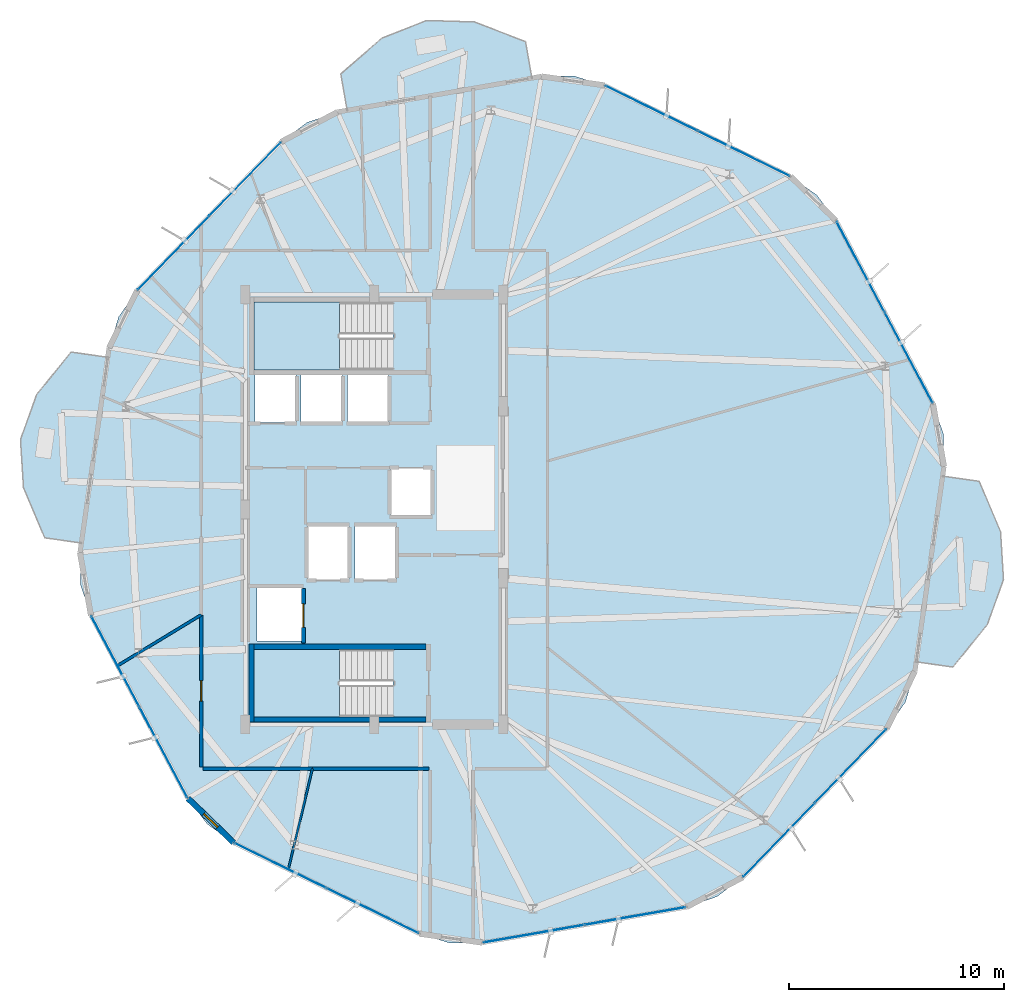
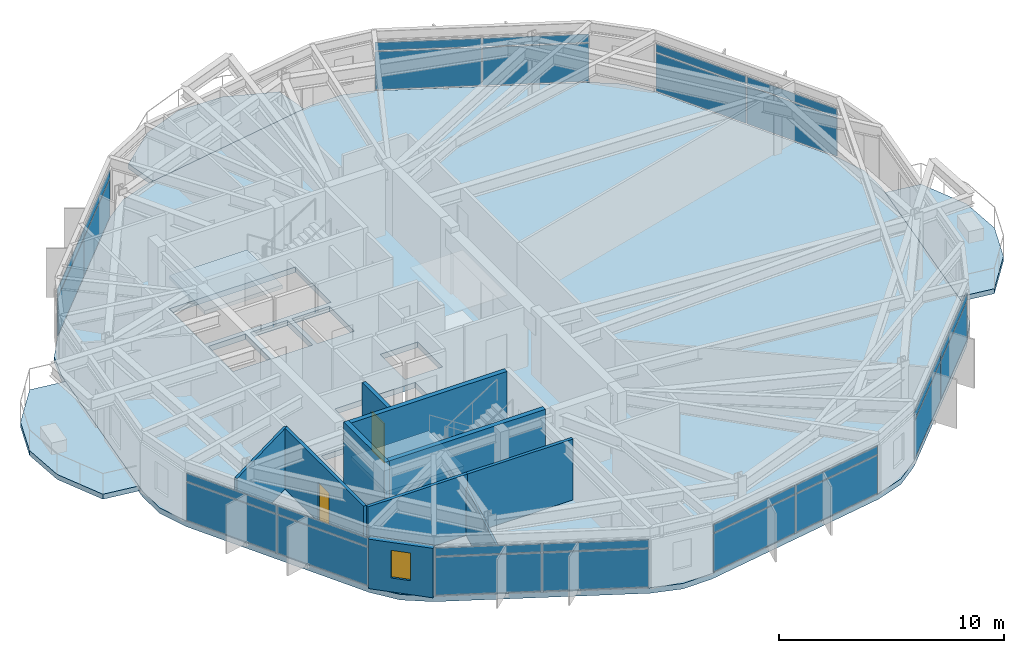
# One storey, part 22 of 28: 28 plates, 10 walls, 6 slabs, 2 doors, 1 window, 3 openings, 9 elements without a shape of their own.
"""IFC4 building model written with IfcOpenShell, lengths in metres."""

from ifc_helpers import new_model, si_unit, direction, frame, frame_2d, origin, origin_2d, place, context, subcontext, project, spatial, polyline, rectangle, outline, extrude, material, layer, layer_set, type_object, element, fill, aggregate, save


model = new_model("IFC4")

# Units and contexts
model_context = context("Model", 3, precision=1e-05, world=origin(), true_north=direction((0.0, 1.0)))
body_context = subcontext(model_context, "Body", "Model", "MODEL_VIEW")
ifc_project = project(units=[si_unit("LENGTHUNIT", "METRE"), si_unit("AREAUNIT", "SQUARE_METRE"), si_unit("VOLUMEUNIT", "CUBIC_METRE"), si_unit("PLANEANGLEUNIT", "RADIAN"), si_unit("MASSUNIT", "GRAM", prefix="KILO")], contexts=[model_context])

# Site, building, storey
site_placement = place(None, origin())
site = spatial("IfcSite", under=ifc_project, at=site_placement, CompositionType="ELEMENT")
building_placement = place(site_placement, origin())
building = spatial("IfcBuilding", under=site, at=building_placement, Name="Soratama Intermodal Tower", CompositionType="ELEMENT")
storey_placement = place(building_placement, frame((0.0, 0.0, 201.39990234375)))
storey = spatial("IfcBuildingStorey", under=building, at=storey_placement, Name="L50", CompositionType="ELEMENT", Elevation=201.39990234375)

# Curtain wall, plates
ifc_material_1 = material(Name="Double-glazed aluminium curtain wall", Category="aluminium")
ifc_layer_1 = layer(ifc_material_1, 0.159912109375)
ifc_layer_set_1 = layer_set([ifc_layer_1], Name="Double-glazed aluminium curtain wall")
curtain_wall_type = type_object("IfcCurtainWallType", Name="CW-SYS-5", PredefinedType="NOTDEFINED", material=ifc_layer_set_1)
curtain_wall_1_placement = place(storey_placement, origin())
curtain_wall_1 = element("IfcCurtainWall", 1, at=curtain_wall_1_placement, inside=storey, type_object=curtain_wall_type, Name="L50 Faceted Curtain Wall F01", PredefinedType="NOTDEFINED")
ifc_material_2 = material(Name="Low-E laminated double glazing", Category="glass")
ifc_layer_2 = layer(ifc_material_2, 0.02001953125)
ifc_layer_set_2 = layer_set([ifc_layer_2], Name="Low-E laminated double glazing")
plate_type = type_object("IfcPlateType", Name="PT-CWP-5", PredefinedType="CURTAIN_PANEL", material=ifc_layer_set_2)
plate_1_placement = place(storey_placement, frame((55.7744140625, 41.558349609375, 0.06005859375), z_axis=(0.0, 0.0, 1.0), x_axis=(-0.898028193217, 0.439937909468, 0.0)))
plate_1 = element("IfcPlate", 2, at=plate_1_placement, type_object=plate_type, Name="CW-5 panel 1.1", PredefinedType="CURTAIN_PANEL", context=body_context, shape_type="SweptSolid", body=[
    extrude(rectangle(XDim=4.721923828125, YDim=0.028076171875, at=origin_2d()), origin(), (0.0, 0.0, 1.0), 2.06005859375),
])
plate_2_placement = place(storey_placement, frame((55.7744140625, 41.558349609375, 2.18017578125), z_axis=(0.0, 0.0, 1.0), x_axis=(-0.898028193217, 0.439937909468, 0.0)))
plate_2 = element("IfcPlate", 3, at=plate_2_placement, type_object=plate_type, Name="CW-5 panel 1.2", PredefinedType="CURTAIN_PANEL", context=body_context, shape_type="SweptSolid", body=[
    extrude(rectangle(XDim=4.721923828125, YDim=0.028076171875, at=origin_2d()), origin(), (0.0, 0.0, 1.0), 0.43896484375),
])
plate_3_placement = place(storey_placement, frame((51.47998046875, 43.662109375, 0.06005859375), z_axis=(0.0, 0.0, 1.0), x_axis=(-0.898028193217, 0.439937909468, 0.0)))
plate_3 = element("IfcPlate", 4, at=plate_3_placement, type_object=plate_type, Name="CW-5 panel 2.1", PredefinedType="CURTAIN_PANEL", context=body_context, shape_type="SweptSolid", body=[
    extrude(rectangle(XDim=4.721923828125, YDim=0.028076171875, at=origin_2d()), origin(), (0.0, 0.0, 1.0), 2.06005859375),
])
plate_4_placement = place(storey_placement, frame((51.47998046875, 43.662109375, 2.18017578125), z_axis=(0.0, 0.0, 1.0), x_axis=(-0.898028193217, 0.439937909468, 0.0)))
plate_4 = element("IfcPlate", 5, at=plate_4_placement, type_object=plate_type, Name="CW-5 panel 2.2", PredefinedType="CURTAIN_PANEL", context=body_context, shape_type="SweptSolid", body=[
    extrude(rectangle(XDim=4.721923828125, YDim=0.028076171875, at=origin_2d()), origin(), (0.0, 0.0, 1.0), 0.43896484375),
])
aggregate(curtain_wall_1, [plate_1, plate_2, plate_3, plate_4])

curtain_wall_2_placement = place(storey_placement, origin())
curtain_wall_2 = element("IfcCurtainWall", 6, at=curtain_wall_2_placement, inside=storey, type_object=curtain_wall_type, Name="L50 Faceted Curtain Wall F03", PredefinedType="NOTDEFINED")
plate_5_placement = place(storey_placement, frame((32.58154296875, 40.36376953125, 0.06005859375), z_axis=(0.0, 0.0, 1.0), x_axis=(-0.695912124261, -0.718126949297, 0.0)))
plate_5 = element("IfcPlate", 7, at=plate_5_placement, type_object=plate_type, Name="CW-5 panel 1.1", PredefinedType="CURTAIN_PANEL", context=body_context, shape_type="SweptSolid", body=[
    extrude(rectangle(XDim=4.72216796875, YDim=0.028076171875, at=origin_2d()), origin(), (0.0, 0.0, 1.0), 2.06005859375),
])
plate_6_placement = place(storey_placement, frame((32.58154296875, 40.36376953125, 2.18017578125), z_axis=(0.0, 0.0, 1.0), x_axis=(-0.695912124261, -0.718126949297, 0.0)))
plate_6 = element("IfcPlate", 8, at=plate_6_placement, type_object=plate_type, Name="CW-5 panel 1.2", PredefinedType="CURTAIN_PANEL", context=body_context, shape_type="SweptSolid", body=[
    extrude(rectangle(XDim=4.72216796875, YDim=0.028076171875, at=origin_2d()), origin(), (0.0, 0.0, 1.0), 0.43896484375),
])
plate_7_placement = place(storey_placement, frame((29.253662109375, 36.9296875, 0.06005859375), z_axis=(0.0, 0.0, 1.0), x_axis=(-0.695912124261, -0.718126949297, 0.0)))
plate_7 = element("IfcPlate", 9, at=plate_7_placement, type_object=plate_type, Name="CW-5 panel 2.1", PredefinedType="CURTAIN_PANEL", context=body_context, shape_type="SweptSolid", body=[
    extrude(rectangle(XDim=4.72216796875, YDim=0.028076171875, at=origin_2d()), origin(), (0.0, 0.0, 1.0), 2.06005859375),
])
plate_8_placement = place(storey_placement, frame((29.253662109375, 36.9296875, 2.18017578125), z_axis=(0.0, 0.0, 1.0), x_axis=(-0.695912124261, -0.718126949297, 0.0)))
plate_8 = element("IfcPlate", 10, at=plate_8_placement, type_object=plate_type, Name="CW-5 panel 2.2", PredefinedType="CURTAIN_PANEL", context=body_context, shape_type="SweptSolid", body=[
    extrude(rectangle(XDim=4.72216796875, YDim=0.028076171875, at=origin_2d()), origin(), (0.0, 0.0, 1.0), 0.43896484375),
])
aggregate(curtain_wall_2, [plate_5, plate_6, plate_7, plate_8])

curtain_wall_3_placement = place(storey_placement, origin())
curtain_wall_3 = element("IfcCurtainWall", 11, at=curtain_wall_3_placement, inside=storey, type_object=curtain_wall_type, Name="L50 Faceted Curtain Wall F05", PredefinedType="NOTDEFINED")
plate_9_placement = place(storey_placement, frame((26.550537109375, 17.93701171875, 0.06005859375), z_axis=(0.0, 0.0, 1.0), x_axis=(0.467931641321, -0.883764662707, 0.0)))
plate_9 = element("IfcPlate", 12, at=plate_9_placement, type_object=plate_type, Name="CW-5 panel 1.1", PredefinedType="CURTAIN_PANEL", context=body_context, shape_type="SweptSolid", body=[
    extrude(rectangle(XDim=4.721923828125, YDim=0.028076171875, at=origin_2d()), origin(), (0.0, 0.0, 1.0), 2.06005859375),
])
plate_10_placement = place(storey_placement, frame((26.550537109375, 17.93701171875, 2.18017578125), z_axis=(0.0, 0.0, 1.0), x_axis=(0.467931641321, -0.883764662707, 0.0)))
plate_10 = element("IfcPlate", 13, at=plate_10_placement, type_object=plate_type, Name="CW-5 panel 1.2", PredefinedType="CURTAIN_PANEL", context=body_context, shape_type="SweptSolid", body=[
    extrude(rectangle(XDim=4.721923828125, YDim=0.028076171875, at=origin_2d()), origin(), (0.0, 0.0, 1.0), 0.43896484375),
])
plate_11_placement = place(storey_placement, frame((28.788330078125, 13.710693359375, 0.06005859375), z_axis=(0.0, 0.0, 1.0), x_axis=(0.467931641321, -0.883764662707, 0.0)))
plate_11 = element("IfcPlate", 14, at=plate_11_placement, type_object=plate_type, Name="CW-5 panel 2.1", PredefinedType="CURTAIN_PANEL", context=body_context, shape_type="SweptSolid", body=[
    extrude(rectangle(XDim=4.721923828125, YDim=0.028076171875, at=origin_2d()), origin(), (0.0, 0.0, 1.0), 2.06005859375),
])
plate_12_placement = place(storey_placement, frame((28.788330078125, 13.710693359375, 2.18017578125), z_axis=(0.0, 0.0, 1.0), x_axis=(0.467931641321, -0.883764662707, 0.0)))
plate_12 = element("IfcPlate", 15, at=plate_12_placement, type_object=plate_type, Name="CW-5 panel 2.2", PredefinedType="CURTAIN_PANEL", context=body_context, shape_type="SweptSolid", body=[
    extrude(rectangle(XDim=4.721923828125, YDim=0.028076171875, at=origin_2d()), origin(), (0.0, 0.0, 1.0), 0.43896484375),
])
aggregate(curtain_wall_3, [plate_9, plate_10, plate_11, plate_12])

curtain_wall_4_placement = place(storey_placement, origin())
curtain_wall_4 = element("IfcCurtainWall", 16, at=curtain_wall_4_placement, inside=storey, type_object=curtain_wall_type, Name="L50 Faceted Curtain Wall F06", PredefinedType="NOTDEFINED")
plate_13_placement = place(storey_placement, frame((34.2255859375, 8.441650390625, 0.06005859375), z_axis=(0.0, 0.0, 1.0), x_axis=(0.898028193217, -0.439937909468, 0.0)))
plate_13 = element("IfcPlate", 17, at=plate_13_placement, type_object=plate_type, Name="CW-5 panel 1.1", PredefinedType="CURTAIN_PANEL", context=body_context, shape_type="SweptSolid", body=[
    extrude(rectangle(XDim=4.721923828125, YDim=0.028076171875, at=origin_2d()), origin(), (0.0, 0.0, 1.0), 2.06005859375),
])
plate_14_placement = place(storey_placement, frame((34.2255859375, 8.441650390625, 2.18017578125), z_axis=(0.0, 0.0, 1.0), x_axis=(0.898028193217, -0.439937909468, 0.0)))
plate_14 = element("IfcPlate", 18, at=plate_14_placement, type_object=plate_type, Name="CW-5 panel 1.2", PredefinedType="CURTAIN_PANEL", context=body_context, shape_type="SweptSolid", body=[
    extrude(rectangle(XDim=4.721923828125, YDim=0.028076171875, at=origin_2d()), origin(), (0.0, 0.0, 1.0), 0.43896484375),
])
plate_15_placement = place(storey_placement, frame((38.52001953125, 6.337890625, 0.06005859375), z_axis=(0.0, 0.0, 1.0), x_axis=(0.898028193217, -0.439937909468, 0.0)))
plate_15 = element("IfcPlate", 19, at=plate_15_placement, type_object=plate_type, Name="CW-5 panel 2.1", PredefinedType="CURTAIN_PANEL", context=body_context, shape_type="SweptSolid", body=[
    extrude(rectangle(XDim=4.721923828125, YDim=0.028076171875, at=origin_2d()), origin(), (0.0, 0.0, 1.0), 2.06005859375),
])
plate_16_placement = place(storey_placement, frame((38.52001953125, 6.337890625, 2.18017578125), z_axis=(0.0, 0.0, 1.0), x_axis=(0.898028193217, -0.439937909468, 0.0)))
plate_16 = element("IfcPlate", 20, at=plate_16_placement, type_object=plate_type, Name="CW-5 panel 2.2", PredefinedType="CURTAIN_PANEL", context=body_context, shape_type="SweptSolid", body=[
    extrude(rectangle(XDim=4.721923828125, YDim=0.028076171875, at=origin_2d()), origin(), (0.0, 0.0, 1.0), 0.43896484375),
])
aggregate(curtain_wall_4, [plate_13, plate_14, plate_15, plate_16])

curtain_wall_5_placement = place(storey_placement, origin())
curtain_wall_5 = element("IfcCurtainWall", 21, at=curtain_wall_5_placement, inside=storey, type_object=curtain_wall_type, Name="L50 Faceted Curtain Wall F07", PredefinedType="NOTDEFINED")
plate_17_placement = place(storey_placement, frame((46.01611328125, 5.27099609375, 0.06005859375), z_axis=(0.0, 0.0, 1.0), x_axis=(0.985108701108, 0.171932681595, 0.0)))
plate_17 = element("IfcPlate", 22, at=plate_17_placement, type_object=plate_type, Name="CW-5 panel 1.1", PredefinedType="CURTAIN_PANEL", context=body_context, shape_type="SweptSolid", body=[
    extrude(rectangle(XDim=4.72216796875, YDim=0.028076171875, at=origin_2d()), origin(), (0.0, 0.0, 1.0), 2.06005859375),
])
plate_18_placement = place(storey_placement, frame((46.01611328125, 5.27099609375, 2.18017578125), z_axis=(0.0, 0.0, 1.0), x_axis=(0.985108701108, 0.171932681595, 0.0)))
plate_18 = element("IfcPlate", 23, at=plate_18_placement, type_object=plate_type, Name="CW-5 panel 1.2", PredefinedType="CURTAIN_PANEL", context=body_context, shape_type="SweptSolid", body=[
    extrude(rectangle(XDim=4.72216796875, YDim=0.028076171875, at=origin_2d()), origin(), (0.0, 0.0, 1.0), 0.43896484375),
])
plate_19_placement = place(storey_placement, frame((50.726806640625, 6.09326171875, 0.06005859375), z_axis=(0.0, 0.0, 1.0), x_axis=(0.985108701108, 0.171932681595, 0.0)))
plate_19 = element("IfcPlate", 24, at=plate_19_placement, type_object=plate_type, Name="CW-5 panel 2.1", PredefinedType="CURTAIN_PANEL", context=body_context, shape_type="SweptSolid", body=[
    extrude(rectangle(XDim=4.72216796875, YDim=0.028076171875, at=origin_2d()), origin(), (0.0, 0.0, 1.0), 2.06005859375),
])
plate_20_placement = place(storey_placement, frame((50.726806640625, 6.09326171875, 2.18017578125), z_axis=(0.0, 0.0, 1.0), x_axis=(0.985108701108, 0.171932681595, 0.0)))
plate_20 = element("IfcPlate", 25, at=plate_20_placement, type_object=plate_type, Name="CW-5 panel 2.2", PredefinedType="CURTAIN_PANEL", context=body_context, shape_type="SweptSolid", body=[
    extrude(rectangle(XDim=4.72216796875, YDim=0.028076171875, at=origin_2d()), origin(), (0.0, 0.0, 1.0), 0.43896484375),
])
aggregate(curtain_wall_5, [plate_17, plate_18, plate_19, plate_20])

curtain_wall_6_placement = place(storey_placement, origin())
curtain_wall_6 = element("IfcCurtainWall", 26, at=curtain_wall_6_placement, inside=storey, type_object=curtain_wall_type, Name="L50 Faceted Curtain Wall F08", PredefinedType="NOTDEFINED")
plate_21_placement = place(storey_placement, frame((57.41845703125, 9.63623046875, 0.06005859375), z_axis=(0.0, 0.0, 1.0), x_axis=(0.695912124261, 0.718126949297, 0.0)))
plate_21 = element("IfcPlate", 27, at=plate_21_placement, type_object=plate_type, Name="CW-5 panel 1.1", PredefinedType="CURTAIN_PANEL", context=body_context, shape_type="SweptSolid", body=[
    extrude(rectangle(XDim=4.72216796875, YDim=0.028076171875, at=origin_2d()), origin(), (0.0, 0.0, 1.0), 2.06005859375),
])
plate_22_placement = place(storey_placement, frame((57.41845703125, 9.63623046875, 2.18017578125), z_axis=(0.0, 0.0, 1.0), x_axis=(0.695912124261, 0.718126949297, 0.0)))
plate_22 = element("IfcPlate", 28, at=plate_22_placement, type_object=plate_type, Name="CW-5 panel 1.2", PredefinedType="CURTAIN_PANEL", context=body_context, shape_type="SweptSolid", body=[
    extrude(rectangle(XDim=4.72216796875, YDim=0.028076171875, at=origin_2d()), origin(), (0.0, 0.0, 1.0), 0.43896484375),
])
plate_23_placement = place(storey_placement, frame((60.746337890625, 13.0703125, 0.06005859375), z_axis=(0.0, 0.0, 1.0), x_axis=(0.695912124261, 0.718126949297, 0.0)))
plate_23 = element("IfcPlate", 29, at=plate_23_placement, type_object=plate_type, Name="CW-5 panel 2.1", PredefinedType="CURTAIN_PANEL", context=body_context, shape_type="SweptSolid", body=[
    extrude(rectangle(XDim=4.72216796875, YDim=0.028076171875, at=origin_2d()), origin(), (0.0, 0.0, 1.0), 2.06005859375),
])
plate_24_placement = place(storey_placement, frame((60.746337890625, 13.0703125, 2.18017578125), z_axis=(0.0, 0.0, 1.0), x_axis=(0.695912124261, 0.718126949297, 0.0)))
plate_24 = element("IfcPlate", 30, at=plate_24_placement, type_object=plate_type, Name="CW-5 panel 2.2", PredefinedType="CURTAIN_PANEL", context=body_context, shape_type="SweptSolid", body=[
    extrude(rectangle(XDim=4.72216796875, YDim=0.028076171875, at=origin_2d()), origin(), (0.0, 0.0, 1.0), 0.43896484375),
])
aggregate(curtain_wall_6, [plate_21, plate_22, plate_23, plate_24])

curtain_wall_7_placement = place(storey_placement, origin())
curtain_wall_7 = element("IfcCurtainWall", 31, at=curtain_wall_7_placement, inside=storey, type_object=curtain_wall_type, Name="L50 Faceted Curtain Wall F10", PredefinedType="NOTDEFINED")
plate_25_placement = place(storey_placement, frame((63.449462890625, 32.06298828125, 0.06005859375), z_axis=(0.0, 0.0, 1.0), x_axis=(-0.467931641321, 0.883764662707, 0.0)))
plate_25 = element("IfcPlate", 32, at=plate_25_placement, type_object=plate_type, Name="CW-5 panel 1.1", PredefinedType="CURTAIN_PANEL", context=body_context, shape_type="SweptSolid", body=[
    extrude(rectangle(XDim=4.721923828125, YDim=0.028076171875, at=origin_2d()), origin(), (0.0, 0.0, 1.0), 2.06005859375),
])
plate_26_placement = place(storey_placement, frame((63.449462890625, 32.06298828125, 2.18017578125), z_axis=(0.0, 0.0, 1.0), x_axis=(-0.467931641321, 0.883764662707, 0.0)))
plate_26 = element("IfcPlate", 33, at=plate_26_placement, type_object=plate_type, Name="CW-5 panel 1.2", PredefinedType="CURTAIN_PANEL", context=body_context, shape_type="SweptSolid", body=[
    extrude(rectangle(XDim=4.721923828125, YDim=0.028076171875, at=origin_2d()), origin(), (0.0, 0.0, 1.0), 0.43896484375),
])
plate_27_placement = place(storey_placement, frame((61.211669921875, 36.289306640625, 0.06005859375), z_axis=(0.0, 0.0, 1.0), x_axis=(-0.467931641321, 0.883764662707, 0.0)))
plate_27 = element("IfcPlate", 34, at=plate_27_placement, type_object=plate_type, Name="CW-5 panel 2.1", PredefinedType="CURTAIN_PANEL", context=body_context, shape_type="SweptSolid", body=[
    extrude(rectangle(XDim=4.721923828125, YDim=0.028076171875, at=origin_2d()), origin(), (0.0, 0.0, 1.0), 2.06005859375),
])
plate_28_placement = place(storey_placement, frame((61.211669921875, 36.289306640625, 2.18017578125), z_axis=(0.0, 0.0, 1.0), x_axis=(-0.467931641321, 0.883764662707, 0.0)))
plate_28 = element("IfcPlate", 35, at=plate_28_placement, type_object=plate_type, Name="CW-5 panel 2.2", PredefinedType="CURTAIN_PANEL", context=body_context, shape_type="SweptSolid", body=[
    extrude(rectangle(XDim=4.721923828125, YDim=0.028076171875, at=origin_2d()), origin(), (0.0, 0.0, 1.0), 0.43896484375),
])
aggregate(curtain_wall_7, [plate_25, plate_26, plate_27, plate_28])

# Slabs
ifc_material_3 = material(Name="Concrete f'c 42 MPa", Category="concrete")
ifc_layer_3 = layer(ifc_material_3, 0.27001953125)
ifc_layer_set_3 = layer_set([ifc_layer_3], Name="Concrete f'c 42 MPa")
slab_type_1 = type_object("IfcSlabType", Name="SL-EXT-BAL1", PredefinedType="FLOOR", material=ifc_layer_set_3)
slab_1_placement = place(storey_placement, frame((0.0, 0.0, -0.27001953125)))
element("IfcSlab", 36, at=slab_1_placement, inside=storey, type_object=slab_type_1, Name="L50 Planted Balcony East 1", PredefinedType="FLOOR", context=body_context, shape_type="SweptSolid", body=[
    extrude(outline(polyline([(63.7998046875, 17.91845703125), (65.02880859375, 26.555419921875), (66.731689453125, 26.31298828125), (67.722412109375, 23.96923828125), (67.859619140625, 21.74658203125), (67.107666015625, 19.650634765625), (65.50244140625, 17.676025390625), (63.7998046875, 17.91845703125)])), origin(), (0.0, 0.0, 1.0), 0.27001953125),
])
slab_2_placement = place(storey_placement, frame((0.0, 0.0, -0.27001953125)))
element("IfcSlab", 37, at=slab_2_placement, inside=storey, type_object=slab_type_1, Name="L50 Planted Balcony North 2", PredefinedType="FLOOR", context=body_context, shape_type="SweptSolid", body=[
    extrude(outline(polyline([(45.925537109375, 45.06787109375), (37.331298828125, 43.568115234375), (37.03564453125, 45.262451171875), (38.958740234375, 46.9287109375), (41.0302734375, 47.74609375), (43.255859375, 47.6787109375), (45.6298828125, 46.76220703125), (45.925537109375, 45.06787109375)])), origin(), (0.0, 0.0, 1.0), 0.27001953125),
])
slab_3_placement = place(storey_placement, frame((0.0, 0.0, -0.27001953125)))
element("IfcSlab", 38, at=slab_3_placement, inside=storey, type_object=slab_type_1, Name="L50 Planted Balcony West 3", PredefinedType="FLOOR", context=body_context, shape_type="SweptSolid", body=[
    extrude(outline(polyline([(26.2001953125, 32.08154296875), (24.97119140625, 23.444580078125), (23.268310546875, 23.68701171875), (22.277587890625, 26.03076171875), (22.140380859375, 28.25341796875), (22.892333984375, 30.349365234375), (24.49755859375, 32.323974609375), (26.2001953125, 32.08154296875)])), origin(), (0.0, 0.0, 1.0), 0.27001953125),
])

# Stair, slab
ifc_material_4 = material(Name="Concrete f'c 42 MPa", Category="concrete")
stair_type = type_object("IfcStairType", Name="ST-CORE-DOGLEG", PredefinedType="HALF_TURN_STAIR", material=ifc_material_4)
stair_1_placement = place(storey_placement, origin())
stair_1 = element("IfcStair", 39, at=stair_1_placement, inside=storey, type_object=stair_type, Name="L50 ST-1", PredefinedType="HALF_TURN_STAIR")
ifc_material_5 = material(Name="Concrete f'c 42 MPa", Category="concrete")
ifc_layer_4 = layer(ifc_material_5, 0.219970703125)
ifc_layer_set_4 = layer_set([ifc_layer_4], Name="Concrete f'c 42 MPa")
slab_type_2 = type_object("IfcSlabType", Name="SL-STAIR-LAND", PredefinedType="LANDING", material=ifc_layer_set_4)
slab_4_placement = place(storey_placement, frame((0.0, 0.0, 1.60009765625)))
slab_4 = element("IfcSlab", 40, at=slab_4_placement, type_object=slab_type_2, Name="ST-1 landing 1", PredefinedType="LANDING", context=body_context, shape_type="SweptSolid", body=[
    extrude(outline(polyline([(36.97998046875, 18.5), (33.0, 18.5), (33.0, 15.35009765625), (36.97998046875, 15.35009765625), (36.97998046875, 18.5)])), origin(), (0.0, 0.0, 1.0), 0.199951171875),
])
aggregate(stair_1, [slab_4])

stair_2_placement = place(storey_placement, origin())
stair_2 = element("IfcStair", 41, at=stair_2_placement, inside=storey, type_object=stair_type, Name="L50 ST-2", PredefinedType="HALF_TURN_STAIR")
slab_5_placement = place(storey_placement, frame((0.0, 0.0, 1.60009765625)))
slab_5 = element("IfcSlab", 42, at=slab_5_placement, type_object=slab_type_2, Name="ST-2 landing 1", PredefinedType="LANDING", context=body_context, shape_type="SweptSolid", body=[
    extrude(outline(polyline([(36.97998046875, 34.64990234375), (33.0, 34.64990234375), (33.0, 31.5), (36.97998046875, 31.5), (36.97998046875, 34.64990234375)])), origin(), (0.0, 0.0, 1.0), 0.199951171875),
])
aggregate(stair_2, [slab_5])

# Slab
ifc_material_6 = material(Name="Concrete f'c 42 MPa", Category="concrete")
ifc_layer_5 = layer(ifc_material_6, 0.280029296875)
ifc_layer_set_5 = layer_set([ifc_layer_5], Name="Concrete f'c 42 MPa")
slab_type_3 = type_object("IfcSlabType", Name="SL-TWR-280", PredefinedType="FLOOR", material=ifc_layer_set_5)
slab_6_placement = place(storey_placement, frame((0.0, 0.0, -0.2998046875)))
element("IfcSlab", 43, at=slab_6_placement, inside=storey, type_object=slab_type_3, Name="L50 Structural Floor Slab", PredefinedType="FLOOR", context=body_context, shape_type="SweptSolid", body=[
    extrude(outline(polyline([(60.078857421875, 38.4287109375), (59.17724609375, 39.629638671875), (57.948486328125, 40.493408203125), (49.305908203125, 44.727294921875), (47.87060546875, 45.168701171875), (46.368896484375, 45.145263671875), (36.88818359375, 43.490478515625), (35.46728515625, 43.004150390625), (34.266357421875, 42.1025390625), (27.56884765625, 35.191162109375), (26.705322265625, 33.96240234375), (26.263671875, 32.527099609375), (24.90771484375, 22.9990234375), (24.931396484375, 21.497314453125), (25.417724609375, 20.07666015625), (29.921142578125, 11.5712890625), (30.82275390625, 10.370361328125), (32.051513671875, 9.506591796875), (40.694091796875, 5.272705078125), (42.12939453125, 4.831298828125), (43.631103515625, 4.854736328125), (53.11181640625, 6.509521484375), (54.53271484375, 6.995849609375), (55.733642578125, 7.8974609375), (62.43115234375, 14.808837890625), (63.294677734375, 16.03759765625), (63.736328125, 17.472900390625), (65.09228515625, 27.0009765625), (65.068603515625, 28.502685546875), (64.582275390625, 29.92333984375), (60.078857421875, 38.4287109375)]), holes=[polyline([(33.0, 18.5), (33.0, 15.35009765625), (39.47509765625, 15.35009765625), (39.47509765625, 18.5), (33.0, 18.5)]), polyline([(35.260009765625, 21.409912109375), (33.139892578125, 21.409912109375), (33.139892578125, 18.889892578125), (35.260009765625, 18.889892578125), (35.260009765625, 21.409912109375)]), polyline([(37.409912109375, 24.260009765625), (35.489990234375, 24.260009765625), (35.489990234375, 21.739990234375), (37.409912109375, 21.739990234375), (37.409912109375, 24.260009765625)]), polyline([(39.610107421875, 24.260009765625), (37.68994140625, 24.260009765625), (37.68994140625, 21.739990234375), (39.610107421875, 21.739990234375), (39.610107421875, 24.260009765625)]), polyline([(41.260009765625, 26.909912109375), (39.340087890625, 26.909912109375), (39.340087890625, 24.68994140625), (41.260009765625, 24.68994140625), (41.260009765625, 26.909912109375)]), polyline([(34.9599609375, 31.260009765625), (33.0400390625, 31.260009765625), (33.0400390625, 29.0400390625), (34.9599609375, 29.0400390625), (34.9599609375, 31.260009765625)]), polyline([(37.110107421875, 31.260009765625), (35.18994140625, 31.260009765625), (35.18994140625, 29.0400390625), (37.110107421875, 29.0400390625), (37.110107421875, 31.260009765625)]), polyline([(39.260009765625, 29.0400390625), (39.260009765625, 31.260009765625), (37.340087890625, 31.260009765625), (37.340087890625, 29.0400390625), (39.260009765625, 29.0400390625)]), polyline([(39.47509765625, 34.64990234375), (33.0, 34.64990234375), (33.0, 31.5), (39.47509765625, 31.5), (39.47509765625, 34.64990234375)])]), origin(), (0.0, 0.0, 1.0), 0.2998046875),
])

# Wall, opening, window
ifc_material_7 = material(Name="Concrete f'c 42 MPa", Category="concrete")
ifc_layer_6 = layer(ifc_material_7, 0.27001953125)
ifc_layer_set_6 = layer_set([ifc_layer_6], Name="Concrete f'c 42 MPa")
wall_type_1 = type_object("IfcWallType", Name="EW-CRN-270", PredefinedType="SOLIDWALL", material=ifc_layer_set_6)
wall_1_placement = place(storey_placement, frame((29.921142578125, 11.5712890625, 0.0), z_axis=(0.0, 0.0, 1.0), x_axis=(0.718088554482, -0.695951742523, 0.0)))
wall_1 = element("IfcWall", 44, at=wall_1_placement, inside=storey, type_object=wall_type_1, Name="L50 Corner Closure Wall 05", PredefinedType="SOLIDWALL", context=body_context, shape_type="SweptSolid", body=[
    extrude(rectangle(XDim=2.966796875, YDim=0.27001953125, at=frame_2d((1.4833984375, 0.0))), origin(), (0.0, 0.0, 1.0), 2.67919921875),
])
opening_1_placement = place(wall_1_placement, frame((1.033203125, 0.0, 0.75)))
opening_1 = element("IfcOpeningElement", 45, at=opening_1_placement, cuts=wall_1, Name="Opening WN-6", PredefinedType="OPENING", context=body_context, shape_type="SweptSolid", body=[
    extrude(rectangle(XDim=0.89990234375, YDim=1.5, at=frame_2d((0.449951171875, 0.75))), frame((0.0, 0.14501953125, 0.0), z_axis=(0.0, -1.0, 0.0), x_axis=(1.0, 0.0, 0.0)), (0.0, 0.0, 1.0), 0.2900390625),
])
ifc_material_8 = material(Name="Double-glazed aluminium window", Category="aluminium")
window_type = type_object("IfcWindowType", Name="WN-FAC-900", PartitioningType="SINGLE_PANEL", PredefinedType="WINDOW", material=ifc_material_8)
window_placement = place(opening_1_placement, origin())
window = element("IfcWindow", 46, at=window_placement, inside=storey, type_object=window_type, Name="L50 Corner Window 05", OverallHeight=1.5, OverallWidth=0.89990234375, PartitioningType="SINGLE_PANEL", PredefinedType="WINDOW", context=body_context, shape_type="SweptSolid", body=[
    extrude(rectangle(XDim=0.89990234375, YDim=1.5, at=frame_2d((0.449951171875, 0.75))), frame((0.0, 0.030029296875, 0.0), z_axis=(0.0, -1.0, 0.0), x_axis=(1.0, 0.0, 0.0)), (0.0, 0.0, 1.0), 0.06005859375),
])
fill(opening_1, window)

# Wall, opening, door
ifc_material_9 = material(Name="Fire-rated gypsum stud partition", Category="concrete")
ifc_layer_7 = layer(ifc_material_9, 0.159912109375)
ifc_layer_set_7 = layer_set([ifc_layer_7], Name="Fire-rated gypsum stud partition")
wall_type_2 = type_object("IfcWallType", Name="IW-PART-R160", PredefinedType="PARTITIONING", material=ifc_layer_set_7)
wall_2_placement = place(storey_placement, frame((30.550048828125, 13.02001953125, 0.0), z_axis=(0.0, 0.0, 1.0), x_axis=(0.0, 1.0, 0.0)))
wall_2 = element("IfcWall", 47, at=wall_2_placement, inside=storey, type_object=wall_type_2, Name="L50 Partition W-L50-TP010", PredefinedType="PARTITIONING", context=body_context, shape_type="SweptSolid", body=[
    extrude(rectangle(XDim=7.0859375, YDim=0.159912109375, at=frame_2d((3.54296875, 0.0))), origin(), (0.0, 0.0, 1.0), 3.300048828125),
])
opening_2_placement = place(wall_2_placement, frame((3.068115234375, 0.0, 0.0)))
opening_2 = element("IfcOpeningElement", 48, at=opening_2_placement, cuts=wall_2, Name="Opening ID-3", PredefinedType="OPENING", context=body_context, shape_type="SweptSolid", body=[
    extrude(rectangle(XDim=0.949951171875, YDim=2.14990234375, at=frame_2d((0.47509765625, 1.074951171875))), frame((0.0, 0.08984375, 0.0), z_axis=(0.0, -1.0, 0.0), x_axis=(1.0, 0.0, 0.0)), (0.0, 0.0, 1.0), 0.179931640625),
])
ifc_material_10 = material(Name="Solid hardwood acoustic door", Category="wood")
door_type_1 = type_object("IfcDoorType", Name="DR-ROOM-950", OperationType="NOTDEFINED", PredefinedType="DOOR", material=ifc_material_10)
door_1_placement = place(opening_2_placement, origin())
door_1 = element("IfcDoor", 49, at=door_1_placement, inside=storey, type_object=door_type_1, Name="L50 Door D-L50-TP007", OperationType="SINGLE_SWING_RIGHT", OverallHeight=2.14990234375, OverallWidth=0.949951171875, PredefinedType="DOOR", context=body_context, shape_type="SweptSolid", body=[
    extrude(rectangle(XDim=0.949951171875, YDim=2.14990234375, at=frame_2d((0.47509765625, 1.074951171875))), frame((0.0, 0.02490234375, 0.0), z_axis=(0.0, -1.0, 0.0), x_axis=(1.0, 0.0, 0.0)), (0.0, 0.0, 1.0), 0.050048828125),
])
fill(opening_2, door_1)

# Walls
wall_3_placement = place(storey_placement, frame((41.1298828125, 12.949951171875, 0.0), z_axis=(0.0, 0.0, 1.0), x_axis=(-1.0, 0.0, 0.0)))
element("IfcWall", 50, at=wall_3_placement, inside=storey, type_object=wall_type_2, Name="L50 Partition W-L50-TP014", PredefinedType="PARTITIONING", context=body_context, shape_type="SweptSolid", body=[
    extrude(rectangle(XDim=5.410888671875, YDim=0.159912109375, at=frame_2d((2.70556640625, 0.0))), origin(), (0.0, 0.0, 1.0), 3.300048828125),
])
wall_4_placement = place(storey_placement, frame((35.718994140625, 12.949951171875, 0.0), z_axis=(0.0, 0.0, 1.0), x_axis=(-1.0, 0.0, 0.0)))
element("IfcWall", 51, at=wall_4_placement, inside=storey, type_object=wall_type_2, Name="L50 Partition W-L50-TP015", PredefinedType="PARTITIONING", context=body_context, shape_type="SweptSolid", body=[
    extrude(rectangle(XDim=5.098876953125, YDim=0.159912109375, at=frame_2d((2.54931640625, 0.0))), origin(), (0.0, 0.0, 1.0), 3.300048828125),
])
ifc_material_11 = material(Name="Fire-rated gypsum stud partition", Category="concrete")
ifc_layer_8 = layer(ifc_material_11, 0.10009765625)
ifc_layer_set_8 = layer_set([ifc_layer_8], Name="Fire-rated gypsum stud partition")
wall_type_3 = type_object("IfcWallType", Name="IW-PART-S100", PredefinedType="PARTITIONING", material=ifc_layer_set_8)
wall_5_placement = place(storey_placement, frame((35.718994140625, 12.949951171875, 0.0), z_axis=(0.0, 0.0, 1.0), x_axis=(-0.232683564536, -0.972552496678, 0.0)))
element("IfcWall", 52, at=wall_5_placement, inside=storey, type_object=wall_type_3, Name="L50 Partition W-L50-TP019", PredefinedType="PARTITIONING", context=body_context, shape_type="SweptSolid", body=[
    extrude(rectangle(XDim=4.822265625, YDim=0.10009765625, at=frame_2d((2.4111328125, 0.0))), origin(), (0.0, 0.0, 1.0), 2.59521484375),
])
ifc_material_12 = material(Name="Fire-rated gypsum stud partition", Category="concrete")
ifc_layer_9 = layer(ifc_material_12, 0.1298828125)
ifc_layer_set_9 = layer_set([ifc_layer_9], Name="Fire-rated gypsum stud partition")
wall_type_4 = type_object("IfcWallType", Name="IW-PART-S130", PredefinedType="PARTITIONING", material=ifc_layer_set_9)
wall_6_placement = place(storey_placement, frame((30.550048828125, 20.10595703125, 0.0), z_axis=(0.0, 0.0, 1.0), x_axis=(-0.854582072733, -0.519316359229, 0.0)))
element("IfcWall", 53, at=wall_6_placement, inside=storey, type_object=wall_type_4, Name="L50 Partition W-L50-TP021", PredefinedType="PARTITIONING", context=body_context, shape_type="SweptSolid", body=[
    extrude(rectangle(XDim=4.557861328125, YDim=0.1298828125, at=frame_2d((2.27880859375, 0.0))), origin(), (0.0, 0.0, 1.0), 3.300048828125),
])

# Wall, opening, door
ifc_material_13 = material(Name="Concrete f'c 42 MPa", Category="concrete")
ifc_layer_10 = layer(ifc_material_13, 0.18505859375)
ifc_layer_set_10 = layer_set([ifc_layer_10], Name="Concrete f'c 42 MPa")
wall_type_5 = type_object("IfcWallType", Name="IW-SHAFT-185", PredefinedType="SOLIDWALL", material=ifc_layer_set_10)
wall_7_placement = place(storey_placement, frame((35.300048828125, 18.7900390625, 0.0), z_axis=(0.0, 0.0, 1.0), x_axis=(0.0, 1.0, 0.0)))
wall_7 = element("IfcWall", 54, at=wall_7_placement, inside=storey, type_object=wall_type_5, Name="L50 SVL-1 Hoistway Wall E", PredefinedType="SOLIDWALL", context=body_context, shape_type="SweptSolid", body=[
    extrude(rectangle(XDim=2.550048828125, YDim=0.18505859375, at=frame_2d((1.27490234375, 0.0))), origin(), (0.0, 0.0, 1.0), 3.300048828125),
])
opening_3_placement = place(wall_7_placement, frame((0.72509765625, 0.0, 0.0)))
opening_3 = element("IfcOpeningElement", 55, at=opening_3_placement, cuts=wall_7, Name="Opening LD-1", PredefinedType="OPENING", context=body_context, shape_type="SweptSolid", body=[
    extrude(rectangle(XDim=1.10009765625, YDim=2.14990234375, at=frame_2d((0.550048828125, 1.074951171875))), frame((0.0, 0.1025390625, 0.0), z_axis=(0.0, -1.0, 0.0), x_axis=(1.0, 0.0, 0.0)), (0.0, 0.0, 1.0), 0.205078125),
])
ifc_material_14 = material(Name="Steel fire door", Category="steel")
door_type_2 = type_object("IfcDoorType", Name="DR-LIFT-SLIDE", OperationType="NOTDEFINED", PredefinedType="DOOR", material=ifc_material_14)
door_2_placement = place(opening_3_placement, origin())
door_2 = element("IfcDoor", 56, at=door_2_placement, inside=storey, type_object=door_type_2, Name="L50 SVL-1 Sliding Landing Door", OperationType="SLIDING_TO_LEFT", OverallHeight=2.14990234375, OverallWidth=1.10009765625, PredefinedType="DOOR", context=body_context, shape_type="SweptSolid", body=[
    extrude(rectangle(XDim=1.10009765625, YDim=2.14990234375, at=frame_2d((0.550048828125, 1.074951171875))), frame((0.0, 0.02490234375, 0.0), z_axis=(0.0, -1.0, 0.0), x_axis=(1.0, 0.0, 0.0)), (0.0, 0.0, 1.0), 0.050048828125),
])
fill(opening_3, door_2)

# Walls
ifc_material_15 = material(Name="Concrete f'c 56 MPa", Category="concrete")
ifc_layer_11 = layer(ifc_material_15, 0.239990234375)
ifc_layer_set_11 = layer_set([ifc_layer_11], Name="Concrete f'c 56 MPa")
wall_type_6 = type_object("IfcWallType", Name="SW-STAIR-240", PredefinedType="SHEAR", material=ifc_layer_set_11)
wall_8_placement = place(storey_placement, frame((32.8798828125, 15.110107421875, 0.0), z_axis=(0.0, 0.0, 1.0), x_axis=(0.0, 1.0, 0.0)))
element("IfcWall", 57, at=wall_8_placement, inside=storey, type_object=wall_type_6, Name="L50 ST-1 Shaft Shear Wall W", PredefinedType="SHEAR", context=body_context, shape_type="SweptSolid", body=[
    extrude(rectangle(XDim=3.6298828125, YDim=0.239990234375, at=frame_2d((1.81494140625, 0.0))), origin(), (0.0, 0.0, 1.0), 3.60009765625),
])
for number, where, z_axis, x_axis, name in (
    (58, (33.0, 15.22998046875, 0.0), (0.0, 0.0, 1.0), (1.0, 0.0, 0.0), "L50 ST-1 Shaft Shear Wall S"),
    (59, (33.0, 18.6201171875, 0.0), (0.0, 0.0, 1.0), (1.0, 0.0, 0.0), "L50 ST-1 Shaft Shear Wall N"),
):
    element("IfcWall", number, at=place(storey_placement, frame(where, z_axis=z_axis, x_axis=x_axis)), inside=storey, type_object=wall_type_6, Name=name, PredefinedType="SHEAR", context=body_context, shape_type="SweptSolid", body=[
        extrude(rectangle(XDim=8.0, YDim=0.239990234375, at=frame_2d((4.0, 0.0))), origin(), (0.0, 0.0, 1.0), 3.60009765625),
    ])

save(model, "model.ifc")
